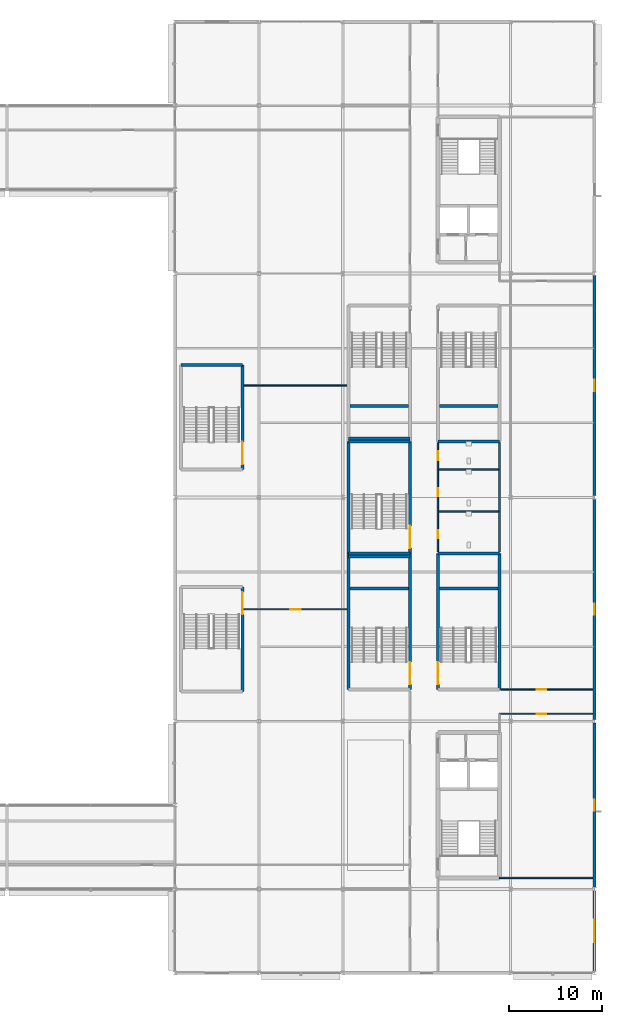
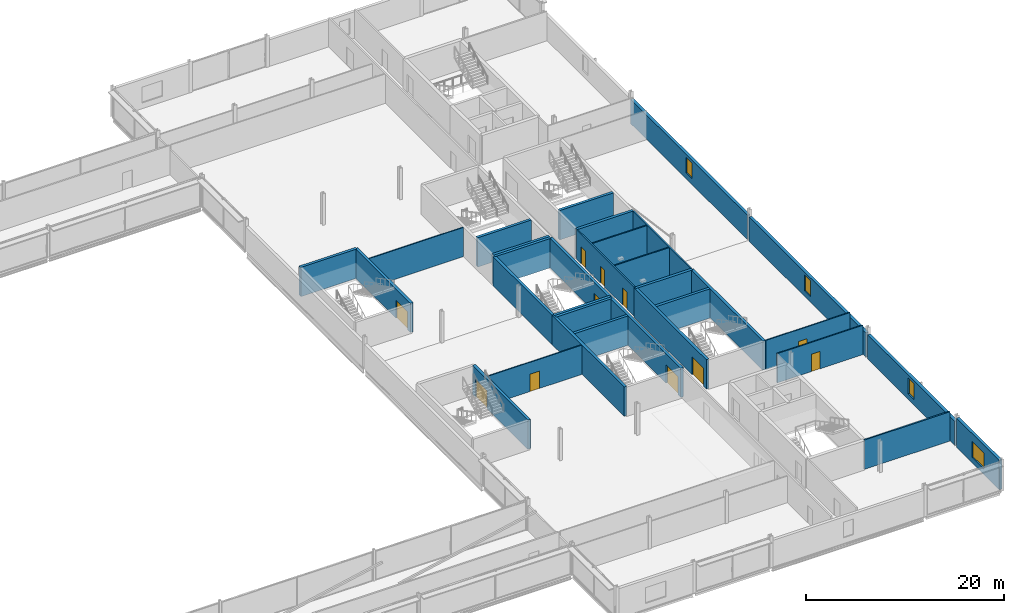
# One storey, part 65 of 98: 32 walls, 11 doors, 4 windows, 15 openings.
"""IFC4 building model written with IfcOpenShell, lengths in metres."""

from ifc_helpers import new_model, si_unit, direction, frame, frame_2d, origin, place, context, subcontext, project, spatial, rectangle, extrude, material, layer, layer_set, type_object, element, fill, save


model = new_model("IFC4")

# Units and contexts
model_context = context("Model", 3, precision=1e-05, world=origin(), true_north=direction((0.0, 1.0)))
body_context = subcontext(model_context, "Body", "Model", "MODEL_VIEW")
ifc_project = project(units=[si_unit("LENGTHUNIT", "METRE"), si_unit("AREAUNIT", "SQUARE_METRE"), si_unit("VOLUMEUNIT", "CUBIC_METRE"), si_unit("PLANEANGLEUNIT", "RADIAN"), si_unit("MASSUNIT", "GRAM", prefix="KILO")], contexts=[model_context])

# Site, building, storey
site_placement = place(None, origin())
site = spatial("IfcSite", under=ifc_project, at=site_placement, CompositionType="ELEMENT")
building_placement = place(site_placement, origin())
building = spatial("IfcBuilding", under=site, at=building_placement, Name="Kisiwana Market Hall", CompositionType="ELEMENT")
storey_placement = place(building_placement, frame((0.0, 0.0, 29.39990234375)))
storey = spatial("IfcBuildingStorey", under=building, at=storey_placement, Name="L06", CompositionType="ELEMENT", Elevation=29.39990234375)

# Wall
ifc_material_1 = material(Name="Concrete C40/50", Category="concrete")
ifc_layer_1 = layer(ifc_material_1, 0.320068359375, Name="Reinforced concrete shaft wall")
ifc_layer_set_1 = layer_set([ifc_layer_1], Name="WL-CORE-320")
wall_type_1 = type_object("IfcWallType", Name="WL-CORE-320", PredefinedType="SHEAR", material=ifc_layer_set_1)
wall_1_placement = place(storey_placement, frame((181.199951171875, 54.0, 0.0), z_axis=(0.0, 0.0, 1.0), x_axis=(1.0, 0.0, 0.0)))
element("IfcWall", 1, at=wall_1_placement, inside=storey, type_object=wall_type_1, Name="Core E3 north shear wall W-1937", PredefinedType="SHEAR", context=body_context, shape_type="SweptSolid", body=[
    extrude(rectangle(XDim=6.60009765625, YDim=0.320068359375, at=frame_2d((3.300048828125, 0.0))), origin(), (0.0, 0.0, 1.0), 3.6201171875),
])

# Wall, opening, door
wall_2_placement = place(storey_placement, frame((181.199951171875, 39.39990234375, 0.0), z_axis=(0.0, 0.0, 1.0), x_axis=(0.0, 1.0, 0.0)))
wall_2 = element("IfcWall", 2, at=wall_2_placement, inside=storey, type_object=wall_type_1, Name="Core E3 corridor shear wall W-1938", PredefinedType="SHEAR", context=body_context, shape_type="SweptSolid", body=[
    extrude(rectangle(XDim=14.60009765625, YDim=0.320068359375, at=frame_2d((7.300048828125, 0.0))), origin(), (0.0, 0.0, 1.0), 3.6201171875),
])
opening_1_placement = place(wall_2_placement, frame((0.550048828125, 0.0, 0.0)))
opening_1 = element("IfcOpeningElement", 3, at=opening_1_placement, cuts=wall_2, Name="Opening DR-L06-015", PredefinedType="OPENING", context=body_context, shape_type="SweptSolid", body=[
    extrude(rectangle(XDim=2.39990234375, YDim=2.25, at=frame_2d((1.199951171875, 1.125))), frame((0.0, 0.171875, 0.0), z_axis=(0.0, -1.0, 0.0), x_axis=(1.0, 0.0, 0.0)), (0.0, 0.0, 1.0), 0.343994140625),
])
ifc_material_2 = material(Name="Steel S275", Category="steel")
door_type_1 = type_object("IfcDoorType", Name="DR-STAIR-FD120-2400", OperationType="DOUBLE_DOOR_SINGLE_SWING", PredefinedType="DOOR", material=ifc_material_2)
door_1_placement = place(opening_1_placement, frame((2.39990234375, 0.0, 0.0), z_axis=(0.0, 0.0, 1.0), x_axis=(-1.0, 0.0, 0.0)))
door_1 = element("IfcDoor", 4, at=door_1_placement, inside=storey, type_object=door_type_1, Name="Escape Stair E3 Fire Door (L06)", OperationType="DOUBLE_DOOR_SINGLE_SWING", OverallHeight=2.25, OverallWidth=2.39990234375, PredefinedType="DOOR", context=body_context, shape_type="SweptSolid", body=[
    extrude(rectangle(XDim=2.39990234375, YDim=2.25, at=frame_2d((1.199951171875, 1.125))), frame((0.0, 0.02490234375, 0.0), z_axis=(0.0, -1.0, 0.0), x_axis=(1.0, 0.0, 0.0)), (0.0, 0.0, 1.0), 0.050048828125),
])
fill(opening_1, door_1)

# Walls
wall_3_placement = place(storey_placement, frame((187.800048828125, 39.39990234375, 0.0), z_axis=(0.0, 0.0, 1.0), x_axis=(0.0, 1.0, 0.0)))
element("IfcWall", 5, at=wall_3_placement, inside=storey, type_object=wall_type_1, Name="Core E3 outer shear wall W-1939", PredefinedType="SHEAR", context=body_context, shape_type="SweptSolid", body=[
    extrude(rectangle(XDim=14.60009765625, YDim=0.320068359375, at=frame_2d((7.300048828125, 0.0))), origin(), (0.0, 0.0, 1.0), 3.6201171875),
])
wall_4_placement = place(storey_placement, frame((181.360107421875, 50.219970703125, 0.0), z_axis=(0.0, 0.0, 1.0), x_axis=(1.0, 0.0, 0.0)))
element("IfcWall", 6, at=wall_4_placement, inside=storey, type_object=wall_type_1, Name="Core E3 riser divider shear wall W-1940", PredefinedType="SHEAR", context=body_context, shape_type="SweptSolid", body=[
    extrude(rectangle(XDim=6.27978515625, YDim=0.320068359375, at=frame_2d((3.139892578125, 0.0))), origin(), (0.0, 0.0, 1.0), 3.6201171875),
])
wall_5_placement = place(storey_placement, frame((181.199951171875, 66.0, 0.0), z_axis=(0.0, 0.0, 1.0), x_axis=(1.0, 0.0, 0.0)))
element("IfcWall", 7, at=wall_5_placement, inside=storey, type_object=wall_type_1, Name="Core E4 south shear wall W-1941", PredefinedType="SHEAR", context=body_context, shape_type="SweptSolid", body=[
    extrude(rectangle(XDim=6.60009765625, YDim=0.320068359375, at=frame_2d((3.300048828125, 0.0))), origin(), (0.0, 0.0, 1.0), 3.6201171875),
])
wall_6_placement = place(storey_placement, frame((181.360107421875, 69.780029296875, 0.0), z_axis=(0.0, 0.0, 1.0), x_axis=(1.0, 0.0, 0.0)))
element("IfcWall", 8, at=wall_6_placement, inside=storey, type_object=wall_type_1, Name="Core E4 riser divider shear wall W-1945", PredefinedType="SHEAR", context=body_context, shape_type="SweptSolid", body=[
    extrude(rectangle(XDim=6.27978515625, YDim=0.320068359375, at=frame_2d((3.139892578125, 0.0))), origin(), (0.0, 0.0, 1.0), 3.6201171875),
])
wall_7_placement = place(storey_placement, frame((171.60009765625, 54.0, 0.0), z_axis=(0.0, 0.0, 1.0), x_axis=(1.0, 0.0, 0.0)))
element("IfcWall", 9, at=wall_7_placement, inside=storey, type_object=wall_type_1, Name="Core E7 north shear wall W-1952", PredefinedType="SHEAR", context=body_context, shape_type="SweptSolid", body=[
    extrude(rectangle(XDim=6.599853515625, YDim=0.320068359375, at=frame_2d((3.2998046875, 0.0))), origin(), (0.0, 0.0, 1.0), 3.6201171875),
])
wall_8_placement = place(storey_placement, frame((171.60009765625, 39.39990234375, 0.0), z_axis=(0.0, 0.0, 1.0), x_axis=(0.0, 1.0, 0.0)))
element("IfcWall", 10, at=wall_8_placement, inside=storey, type_object=wall_type_1, Name="Core E7 outer shear wall W-1953", PredefinedType="SHEAR", context=body_context, shape_type="SweptSolid", body=[
    extrude(rectangle(XDim=14.60009765625, YDim=0.320068359375, at=frame_2d((7.300048828125, 0.0))), origin(), (0.0, 0.0, 1.0), 3.6201171875),
])

# Wall, opening, door
wall_9_placement = place(storey_placement, frame((178.199951171875, 39.39990234375, 0.0), z_axis=(0.0, 0.0, 1.0), x_axis=(0.0, 1.0, 0.0)))
wall_9 = element("IfcWall", 11, at=wall_9_placement, inside=storey, type_object=wall_type_1, Name="Core E7 corridor shear wall W-1954", PredefinedType="SHEAR", context=body_context, shape_type="SweptSolid", body=[
    extrude(rectangle(XDim=14.60009765625, YDim=0.320068359375, at=frame_2d((7.300048828125, 0.0))), origin(), (0.0, 0.0, 1.0), 3.6201171875),
])
opening_2_placement = place(wall_9_placement, frame((0.550048828125, 0.0, 0.0)))
opening_2 = element("IfcOpeningElement", 12, at=opening_2_placement, cuts=wall_9, Name="Opening DR-L06-018", PredefinedType="OPENING", context=body_context, shape_type="SweptSolid", body=[
    extrude(rectangle(XDim=2.39990234375, YDim=2.25, at=frame_2d((1.199951171875, 1.125))), frame((0.0, 0.171875, 0.0), z_axis=(0.0, -1.0, 0.0), x_axis=(1.0, 0.0, 0.0)), (0.0, 0.0, 1.0), 0.343994140625),
])
door_2_placement = place(opening_2_placement, origin())
door_2 = element("IfcDoor", 13, at=door_2_placement, inside=storey, type_object=door_type_1, Name="Escape Stair E7 Fire Door (L06)", OperationType="DOUBLE_DOOR_SINGLE_SWING", OverallHeight=2.25, OverallWidth=2.39990234375, PredefinedType="DOOR", context=body_context, shape_type="SweptSolid", body=[
    extrude(rectangle(XDim=2.39990234375, YDim=2.25, at=frame_2d((1.199951171875, 1.125))), frame((0.0, 0.02490234375, 0.0), z_axis=(0.0, -1.0, 0.0), x_axis=(1.0, 0.0, 0.0)), (0.0, 0.0, 1.0), 0.050048828125),
])
fill(opening_2, door_2)

# Walls
wall_10_placement = place(storey_placement, frame((171.760009765625, 50.219970703125, 0.0), z_axis=(0.0, 0.0, 1.0), x_axis=(1.0, 0.0, 0.0)))
element("IfcWall", 14, at=wall_10_placement, inside=storey, type_object=wall_type_1, Name="Core E7 riser divider shear wall W-1955", PredefinedType="SHEAR", context=body_context, shape_type="SweptSolid", body=[
    extrude(rectangle(XDim=6.280029296875, YDim=0.320068359375, at=frame_2d((3.14013671875, 0.0))), origin(), (0.0, 0.0, 1.0), 3.6201171875),
])
wall_11_placement = place(storey_placement, frame((171.60009765625, 66.0, 0.0), z_axis=(0.0, 0.0, 1.0), x_axis=(1.0, 0.0, 0.0)))
element("IfcWall", 15, at=wall_11_placement, inside=storey, type_object=wall_type_1, Name="Core E8 south shear wall W-1961", PredefinedType="SHEAR", context=body_context, shape_type="SweptSolid", body=[
    extrude(rectangle(XDim=6.599853515625, YDim=0.320068359375, at=frame_2d((3.2998046875, 0.0))), origin(), (0.0, 0.0, 1.0), 3.6201171875),
])
wall_12_placement = place(storey_placement, frame((171.760009765625, 69.780029296875, 0.0), z_axis=(0.0, 0.0, 1.0), x_axis=(1.0, 0.0, 0.0)))
element("IfcWall", 16, at=wall_12_placement, inside=storey, type_object=wall_type_1, Name="Core E8 riser divider shear wall W-1965", PredefinedType="SHEAR", context=body_context, shape_type="SweptSolid", body=[
    extrude(rectangle(XDim=6.280029296875, YDim=0.320068359375, at=frame_2d((3.14013671875, 0.0))), origin(), (0.0, 0.0, 1.0), 3.6201171875),
])

# Wall, opening, door
wall_13_placement = place(storey_placement, frame((160.22998046875, 39.199951171875, 0.0), z_axis=(0.0, 0.0, 1.0), x_axis=(0.0, 1.0, 0.0)))
wall_13 = element("IfcWall", 17, at=wall_13_placement, inside=storey, type_object=wall_type_1, Name="Core E9 corridor shear wall W-1973", PredefinedType="SHEAR", context=body_context, shape_type="SweptSolid", body=[
    extrude(rectangle(XDim=11.199951171875, YDim=0.320068359375, at=frame_2d((5.60009765625, 0.0))), origin(), (0.0, 0.0, 1.0), 3.6201171875),
])
opening_3_placement = place(wall_13_placement, frame((8.25, 0.0, 0.0)))
opening_3 = element("IfcOpeningElement", 18, at=opening_3_placement, cuts=wall_13, Name="Opening DR-L06-022", PredefinedType="OPENING", context=body_context, shape_type="SweptSolid", body=[
    extrude(rectangle(XDim=2.39990234375, YDim=2.25, at=frame_2d((1.199951171875, 1.125))), frame((0.0, 0.171875, 0.0), z_axis=(0.0, -1.0, 0.0), x_axis=(1.0, 0.0, 0.0)), (0.0, 0.0, 1.0), 0.343994140625),
])
door_3_placement = place(opening_3_placement, origin())
door_3 = element("IfcDoor", 19, at=door_3_placement, inside=storey, type_object=door_type_1, Name="Escape Stair E9 Fire Door (L06)", OperationType="DOUBLE_DOOR_SINGLE_SWING", OverallHeight=2.25, OverallWidth=2.39990234375, PredefinedType="DOOR", context=body_context, shape_type="SweptSolid", body=[
    extrude(rectangle(XDim=2.39990234375, YDim=2.25, at=frame_2d((1.199951171875, 1.125))), frame((0.0, 0.02490234375, 0.0), z_axis=(0.0, -1.0, 0.0), x_axis=(1.0, 0.0, 0.0)), (0.0, 0.0, 1.0), 0.050048828125),
])
fill(opening_3, door_3)

# Wall
wall_14_placement = place(storey_placement, frame((153.6298828125, 74.199951171875, 0.0), z_axis=(0.0, 0.0, 1.0), x_axis=(1.0, 0.0, 0.0)))
element("IfcWall", 20, at=wall_14_placement, inside=storey, type_object=wall_type_1, Name="Core E10 north shear wall W-1979", PredefinedType="SHEAR", context=body_context, shape_type="SweptSolid", body=[
    extrude(rectangle(XDim=6.60009765625, YDim=0.320068359375, at=frame_2d((3.300048828125, 0.0))), origin(), (0.0, 0.0, 1.0), 3.6201171875),
])

# Wall, opening, door
wall_15_placement = place(storey_placement, frame((160.22998046875, 63.0, 0.0), z_axis=(0.0, 0.0, 1.0), x_axis=(0.0, 1.0, 0.0)))
wall_15 = element("IfcWall", 21, at=wall_15_placement, inside=storey, type_object=wall_type_1, Name="Core E10 corridor shear wall W-1981", PredefinedType="SHEAR", context=body_context, shape_type="SweptSolid", body=[
    extrude(rectangle(XDim=11.199951171875, YDim=0.320068359375, at=frame_2d((5.60009765625, 0.0))), origin(), (0.0, 0.0, 1.0), 3.6201171875),
])
opening_4_placement = place(wall_15_placement, frame((0.550048828125, 0.0, 0.0)))
opening_4 = element("IfcOpeningElement", 22, at=opening_4_placement, cuts=wall_15, Name="Opening DR-L06-024", PredefinedType="OPENING", context=body_context, shape_type="SweptSolid", body=[
    extrude(rectangle(XDim=2.39990234375, YDim=2.25, at=frame_2d((1.199951171875, 1.125))), frame((0.0, 0.171875, 0.0), z_axis=(0.0, -1.0, 0.0), x_axis=(1.0, 0.0, 0.0)), (0.0, 0.0, 1.0), 0.343994140625),
])
door_4_placement = place(opening_4_placement, origin())
door_4 = element("IfcDoor", 23, at=door_4_placement, inside=storey, type_object=door_type_1, Name="Escape Stair E10 Fire Door (L06)", OperationType="DOUBLE_DOOR_SINGLE_SWING", OverallHeight=2.25, OverallWidth=2.39990234375, PredefinedType="DOOR", context=body_context, shape_type="SweptSolid", body=[
    extrude(rectangle(XDim=2.39990234375, YDim=2.25, at=frame_2d((1.199951171875, 1.125))), frame((0.0, 0.02490234375, 0.0), z_axis=(0.0, -1.0, 0.0), x_axis=(1.0, 0.0, 0.0)), (0.0, 0.0, 1.0), 0.050048828125),
])
fill(opening_4, door_4)

# Walls
for number, where, z_axis, x_axis, name in (
    (24, (171.60009765625, 53.679931640625, 0.0), (0.0, 0.0, 1.0), (1.0, 0.0, 0.0), "Core E5 south shear wall W-1986"),
    (25, (171.60009765625, 66.320068359375, 0.0), (0.0, 0.0, 1.0), (1.0, 0.0, 0.0), "Core E5 north shear wall W-1987"),
):
    element("IfcWall", number, at=place(storey_placement, frame(where, z_axis=z_axis, x_axis=x_axis)), inside=storey, type_object=wall_type_1, Name=name, PredefinedType="SHEAR", context=body_context, shape_type="SweptSolid", body=[
        extrude(rectangle(XDim=6.599853515625, YDim=0.320068359375, at=frame_2d((3.2998046875, 0.0))), origin(), (0.0, 0.0, 1.0), 3.6201171875),
    ])
wall_16_placement = place(storey_placement, frame((171.60009765625, 54.0, 0.0), z_axis=(0.0, 0.0, 1.0), x_axis=(0.0, 1.0, 0.0)))
element("IfcWall", 26, at=wall_16_placement, inside=storey, type_object=wall_type_1, Name="Core E5 outer shear wall W-1988", PredefinedType="SHEAR", context=body_context, shape_type="SweptSolid", body=[
    extrude(rectangle(XDim=12.0, YDim=0.320068359375, at=frame_2d((6.0, 0.0))), origin(), (0.0, 0.0, 1.0), 3.6201171875),
])

# Wall, opening, door
wall_17_placement = place(storey_placement, frame((178.199951171875, 54.0, 0.0), z_axis=(0.0, 0.0, 1.0), x_axis=(0.0, 1.0, 0.0)))
wall_17 = element("IfcWall", 27, at=wall_17_placement, inside=storey, type_object=wall_type_1, Name="Core E5 corridor shear wall W-1989", PredefinedType="SHEAR", context=body_context, shape_type="SweptSolid", body=[
    extrude(rectangle(XDim=12.0, YDim=0.320068359375, at=frame_2d((6.0, 0.0))), origin(), (0.0, 0.0, 1.0), 3.6201171875),
])
opening_5_placement = place(wall_17_placement, frame((0.550048828125, 0.0, 0.0)))
opening_5 = element("IfcOpeningElement", 28, at=opening_5_placement, cuts=wall_17, Name="Opening DR-L06-026", PredefinedType="OPENING", context=body_context, shape_type="SweptSolid", body=[
    extrude(rectangle(XDim=2.39990234375, YDim=2.25, at=frame_2d((1.199951171875, 1.125))), frame((0.0, 0.171875, 0.0), z_axis=(0.0, -1.0, 0.0), x_axis=(1.0, 0.0, 0.0)), (0.0, 0.0, 1.0), 0.343994140625),
])
door_5_placement = place(opening_5_placement, origin())
door_5 = element("IfcDoor", 29, at=door_5_placement, inside=storey, type_object=door_type_1, Name="Escape Stair E5 Fire Door (L06)", OperationType="DOUBLE_DOOR_SINGLE_SWING", OverallHeight=2.25, OverallWidth=2.39990234375, PredefinedType="DOOR", context=body_context, shape_type="SweptSolid", body=[
    extrude(rectangle(XDim=2.39990234375, YDim=2.25, at=frame_2d((1.199951171875, 1.125))), frame((0.0, 0.02490234375, 0.0), z_axis=(0.0, -1.0, 0.0), x_axis=(1.0, 0.0, 0.0)), (0.0, 0.0, 1.0), 0.050048828125),
])
fill(opening_5, door_5)

# Wall
ifc_material_3 = material(Name="Masonry blockwork", Category="masonry")
ifc_layer_2 = layer(ifc_material_3, 0.169921875, Name="Protected corridor partition")
ifc_layer_set_2 = layer_set([ifc_layer_2], Name="WL-CORR-170")
wall_type_2 = type_object("IfcWallType", Name="WL-CORR-170", PredefinedType="PARTITIONING", material=ifc_layer_set_2)
wall_18_placement = place(storey_placement, frame((187.800048828125, 54.159912109375, 0.0), z_axis=(0.0, 0.0, 1.0), x_axis=(0.0, 1.0, 0.0)))
element("IfcWall", 30, at=wall_18_placement, inside=storey, type_object=wall_type_2, Name="Interior partition W-2046", PredefinedType="PARTITIONING", context=body_context, shape_type="SweptSolid", body=[
    extrude(rectangle(XDim=11.68017578125, YDim=0.169921875, at=frame_2d((5.840087890625, 0.0))), origin(), (0.0, 0.0, 1.0), 3.6201171875),
])

# Wall, openings, doors
wall_19_placement = place(storey_placement, frame((181.199951171875, 54.159912109375, 0.0), z_axis=(0.0, 0.0, 1.0), x_axis=(0.0, 1.0, 0.0)))
wall_19 = element("IfcWall", 31, at=wall_19_placement, inside=storey, type_object=wall_type_2, Name="Interior partition W-2047", PredefinedType="PARTITIONING", context=body_context, shape_type="SweptSolid", body=[
    extrude(rectangle(XDim=11.68017578125, YDim=0.169921875, at=frame_2d((5.840087890625, 0.0))), origin(), (0.0, 0.0, 1.0), 3.6201171875),
])
opening_6_placement = place(wall_19_placement, frame((1.43994140625, 0.0, 0.0)))
opening_6 = element("IfcOpeningElement", 32, at=opening_6_placement, cuts=wall_19, Name="Opening DR-L06-046", PredefinedType="OPENING", context=body_context, shape_type="SweptSolid", body=[
    extrude(rectangle(XDim=0.89990234375, YDim=2.10009765625, at=frame_2d((0.449951171875, 1.050048828125))), frame((0.0, 0.096923828125, 0.0), z_axis=(0.0, -1.0, 0.0), x_axis=(1.0, 0.0, 0.0)), (0.0, 0.0, 1.0), 0.19384765625),
])
opening_7_placement = place(wall_19_placement, frame((5.93994140625, 0.0, 0.0)))
opening_7 = element("IfcOpeningElement", 33, at=opening_7_placement, cuts=wall_19, Name="Opening DR-L06-047", PredefinedType="OPENING", context=body_context, shape_type="SweptSolid", body=[
    extrude(rectangle(XDim=0.89990234375, YDim=2.10009765625, at=frame_2d((0.449951171875, 1.050048828125))), frame((0.0, 0.096923828125, 0.0), z_axis=(0.0, -1.0, 0.0), x_axis=(1.0, 0.0, 0.0)), (0.0, 0.0, 1.0), 0.19384765625),
])
opening_8_placement = place(wall_19_placement, frame((9.840087890625, 0.0, 0.0)))
opening_8 = element("IfcOpeningElement", 34, at=opening_8_placement, cuts=wall_19, Name="Opening DR-L06-048", PredefinedType="OPENING", context=body_context, shape_type="SweptSolid", body=[
    extrude(rectangle(XDim=0.949951171875, YDim=2.10009765625, at=frame_2d((0.47509765625, 1.050048828125))), frame((0.0, 0.096923828125, 0.0), z_axis=(0.0, -1.0, 0.0), x_axis=(1.0, 0.0, 0.0)), (0.0, 0.0, 1.0), 0.19384765625),
])
ifc_material_4 = material(Name="Aluminium alloy 6063-T6", Category="aluminium")
door_type_2 = type_object("IfcDoorType", Name="DR-WC-ACC-950", OperationType="NOTDEFINED", PredefinedType="DOOR", material=ifc_material_4)
door_6_placement = place(opening_8_placement, frame((0.949951171875, 0.0, 0.0), z_axis=(0.0, 0.0, 1.0), x_axis=(-1.0, 0.0, 0.0)))
door_6 = element("IfcDoor", 35, at=door_6_placement, inside=storey, type_object=door_type_2, Name="L06 E Accessible WC Door", OperationType="SINGLE_SWING_LEFT", OverallHeight=2.10009765625, OverallWidth=0.949951171875, PredefinedType="DOOR", context=body_context, shape_type="SweptSolid", body=[
    extrude(rectangle(XDim=0.949951171875, YDim=2.10009765625, at=frame_2d((0.47509765625, 1.050048828125))), frame((0.0, 0.02490234375, 0.0), z_axis=(0.0, -1.0, 0.0), x_axis=(1.0, 0.0, 0.0)), (0.0, 0.0, 1.0), 0.050048828125),
])
fill(opening_8, door_6)
ifc_material_5 = material(Name="Aluminium alloy 6063-T6", Category="aluminium")
door_type_3 = type_object("IfcDoorType", Name="DR-WC-STD-900", OperationType="NOTDEFINED", PredefinedType="DOOR", material=ifc_material_5)
door_7_placement = place(opening_6_placement, frame((0.89990234375, 0.0, 0.0), z_axis=(0.0, 0.0, 1.0), x_axis=(-1.0, 0.0, 0.0)))
door_7 = element("IfcDoor", 36, at=door_7_placement, inside=storey, type_object=door_type_3, Name="L06 E Male Toilet Door", OperationType="SINGLE_SWING_RIGHT", OverallHeight=2.10009765625, OverallWidth=0.89990234375, PredefinedType="DOOR", context=body_context, shape_type="SweptSolid", body=[
    extrude(rectangle(XDim=0.89990234375, YDim=2.10009765625, at=frame_2d((0.449951171875, 1.050048828125))), frame((0.0, 0.02490234375, 0.0), z_axis=(0.0, -1.0, 0.0), x_axis=(1.0, 0.0, 0.0)), (0.0, 0.0, 1.0), 0.050048828125),
])
fill(opening_6, door_7)
door_8_placement = place(opening_7_placement, frame((0.89990234375, 0.0, 0.0), z_axis=(0.0, 0.0, 1.0), x_axis=(-1.0, 0.0, 0.0)))
door_8 = element("IfcDoor", 37, at=door_8_placement, inside=storey, type_object=door_type_3, Name="L06 E Female Toilet Door", OperationType="SINGLE_SWING_LEFT", OverallHeight=2.10009765625, OverallWidth=0.89990234375, PredefinedType="DOOR", context=body_context, shape_type="SweptSolid", body=[
    extrude(rectangle(XDim=0.89990234375, YDim=2.10009765625, at=frame_2d((0.449951171875, 1.050048828125))), frame((0.0, 0.02490234375, 0.0), z_axis=(0.0, -1.0, 0.0), x_axis=(1.0, 0.0, 0.0)), (0.0, 0.0, 1.0), 0.050048828125),
])
fill(opening_7, door_8)

# Wall
wall_20_placement = place(storey_placement, frame((187.800048828125, 19.199951171875, 0.0), z_axis=(0.0, 0.0, 1.0), x_axis=(1.0, 0.0, 0.0)))
element("IfcWall", 38, at=wall_20_placement, inside=storey, type_object=wall_type_2, Name="Interior partition W-2052", PredefinedType="PARTITIONING", context=body_context, shape_type="SweptSolid", body=[
    extrude(rectangle(XDim=10.017333984375, YDim=0.169921875, at=frame_2d((5.0087890625, 0.0))), origin(), (0.0, 0.0, 1.0), 3.6201171875),
])

# Wall, opening, window
ifc_material_6 = material(Name="Concrete C40/50 precast", Category="concrete")
ifc_layer_3 = layer(ifc_material_6, 0.14990234375, Name="Precast architectural concrete spandrel")
ifc_material_7 = material(Name="Mineral wool insulation")
ifc_layer_4 = layer(ifc_material_7, 0.090087890625, Name="Rockwool thermal insulation")
ifc_material_8 = material(Name="Masonry blockwork", Category="masonry")
ifc_layer_5 = layer(ifc_material_8, 0.10009765625, Name="Inner masonry block leaf")
ifc_layer_set_3 = layer_set([ifc_layer_3, ifc_layer_4, ifc_layer_5], Name="WL-EXT-PREC-340")
wall_type_3 = type_object("IfcWallType", Name="WL-EXT-PREC-340", PredefinedType="STANDARD", material=ifc_layer_set_3)
wall_21_placement = place(storey_placement, frame((198.0, 9.1806640625, 0.0), z_axis=(0.0, 0.0, 1.0), x_axis=(0.0, 1.0, 0.0)))
wall_21 = element("IfcWall", 39, at=wall_21_placement, inside=storey, type_object=wall_type_3, Name="Exterior wall W-2009", PredefinedType="STANDARD", context=body_context, shape_type="SweptSolid", body=[
    extrude(rectangle(XDim=8.638671875, YDim=0.340087890625, at=frame_2d((4.3193359375, 0.0))), origin(), (0.0, 0.0, 1.0), 3.6201171875),
])
opening_9_placement = place(wall_21_placement, frame((3.119384765625, 0.0, 0.699951171875)))
opening_9 = element("IfcOpeningElement", 40, at=opening_9_placement, cuts=wall_21, Name="Opening WN-27", PredefinedType="OPENING", context=body_context, shape_type="SweptSolid", body=[
    extrude(rectangle(XDim=2.39990234375, YDim=1.949951171875, at=frame_2d((1.199951171875, 0.97509765625))), frame((0.0, 0.18212890625, 0.0), z_axis=(0.0, -1.0, 0.0), x_axis=(1.0, 0.0, 0.0)), (0.0, 0.0, 1.0), 0.364013671875),
])
ifc_material_9 = material(Name="Double-glazed solar-control low-E IGU", Category="glass")
window_type_1 = type_object("IfcWindowType", Name="WN-OFFA-2400x1950", PartitioningType="SINGLE_PANEL", PredefinedType="WINDOW", material=ifc_material_9)
window_1_placement = place(opening_9_placement, origin())
window_1 = element("IfcWindow", 41, at=window_1_placement, inside=storey, type_object=window_type_1, Name="Exterior window WN-206", OverallHeight=1.949951171875, OverallWidth=2.39990234375, PartitioningType="SINGLE_PANEL", PredefinedType="WINDOW", context=body_context, shape_type="SweptSolid", body=[
    extrude(rectangle(XDim=2.39990234375, YDim=1.949951171875, at=frame_2d((1.199951171875, 0.97509765625))), frame((0.0, 0.030029296875, 0.0), z_axis=(0.0, -1.0, 0.0), x_axis=(1.0, 0.0, 0.0)), (0.0, 0.0, 1.0), 0.06005859375),
])
fill(opening_9, window_1)

wall_22_placement = place(storey_placement, frame((198.0, 18.1806640625, 0.0), z_axis=(0.0, 0.0, 1.0), x_axis=(0.0, 1.0, 0.0)))
wall_22 = element("IfcWall", 42, at=wall_22_placement, inside=storey, type_object=wall_type_3, Name="Exterior wall W-2010", PredefinedType="STANDARD", context=body_context, shape_type="SweptSolid", body=[
    extrude(rectangle(XDim=17.638671875, YDim=0.340087890625, at=frame_2d((8.8193359375, 0.0))), origin(), (0.0, 0.0, 1.0), 3.0078125),
])
opening_10_placement = place(wall_22_placement, frame((8.219482421875, 0.0, 0.699951171875)))
opening_10 = element("IfcOpeningElement", 43, at=opening_10_placement, cuts=wall_22, Name="Opening WN-15", PredefinedType="OPENING", context=body_context, shape_type="SweptSolid", body=[
    extrude(rectangle(XDim=1.199951171875, YDim=1.949951171875, at=frame_2d((0.60009765625, 0.97509765625))), frame((0.0, 0.18212890625, 0.0), z_axis=(0.0, -1.0, 0.0), x_axis=(1.0, 0.0, 0.0)), (0.0, 0.0, 1.0), 0.364013671875),
])
ifc_material_10 = material(Name="Double-glazed solar-control low-E IGU", Category="glass")
window_type_2 = type_object("IfcWindowType", Name="WN-OFFA-1200x1950", PartitioningType="SINGLE_PANEL", PredefinedType="WINDOW", material=ifc_material_10)
window_2_placement = place(opening_10_placement, origin())
window_2 = element("IfcWindow", 44, at=window_2_placement, inside=storey, type_object=window_type_2, Name="Exterior window WN-195", OverallHeight=1.949951171875, OverallWidth=1.199951171875, PartitioningType="SINGLE_PANEL", PredefinedType="WINDOW", context=body_context, shape_type="SweptSolid", body=[
    extrude(rectangle(XDim=1.199951171875, YDim=1.949951171875, at=frame_2d((0.60009765625, 0.97509765625))), frame((0.0, 0.030029296875, 0.0), z_axis=(0.0, -1.0, 0.0), x_axis=(1.0, 0.0, 0.0)), (0.0, 0.0, 1.0), 0.06005859375),
])
fill(opening_10, window_2)

wall_23_placement = place(storey_placement, frame((198.0, 36.1806640625, 0.0), z_axis=(0.0, 0.0, 1.0), x_axis=(0.0, 1.0, 0.0)))
wall_23 = element("IfcWall", 45, at=wall_23_placement, inside=storey, type_object=wall_type_3, Name="Exterior wall W-2011", PredefinedType="STANDARD", context=body_context, shape_type="SweptSolid", body=[
    extrude(rectangle(XDim=23.638671875, YDim=0.340087890625, at=frame_2d((11.8193359375, 0.0))), origin(), (0.0, 0.0, 1.0), 3.0078125),
])
opening_11_placement = place(wall_23_placement, frame((11.219482421875, 0.0, 0.699951171875)))
opening_11 = element("IfcOpeningElement", 46, at=opening_11_placement, cuts=wall_23, Name="Opening WN-15", PredefinedType="OPENING", context=body_context, shape_type="SweptSolid", body=[
    extrude(rectangle(XDim=1.199951171875, YDim=1.949951171875, at=frame_2d((0.60009765625, 0.97509765625))), frame((0.0, 0.18212890625, 0.0), z_axis=(0.0, -1.0, 0.0), x_axis=(1.0, 0.0, 0.0)), (0.0, 0.0, 1.0), 0.364013671875),
])
window_3_placement = place(opening_11_placement, origin())
window_3 = element("IfcWindow", 47, at=window_3_placement, inside=storey, type_object=window_type_2, Name="Exterior window WN-196", OverallHeight=1.949951171875, OverallWidth=1.199951171875, PartitioningType="SINGLE_PANEL", PredefinedType="WINDOW", context=body_context, shape_type="SweptSolid", body=[
    extrude(rectangle(XDim=1.199951171875, YDim=1.949951171875, at=frame_2d((0.60009765625, 0.97509765625))), frame((0.0, 0.030029296875, 0.0), z_axis=(0.0, -1.0, 0.0), x_axis=(1.0, 0.0, 0.0)), (0.0, 0.0, 1.0), 0.06005859375),
])
fill(opening_11, window_3)

wall_24_placement = place(storey_placement, frame((198.0, 60.1806640625, 0.0), z_axis=(0.0, 0.0, 1.0), x_axis=(0.0, 1.0, 0.0)))
wall_24 = element("IfcWall", 48, at=wall_24_placement, inside=storey, type_object=wall_type_3, Name="Exterior wall W-2012", PredefinedType="STANDARD", context=body_context, shape_type="SweptSolid", body=[
    extrude(rectangle(XDim=23.638671875, YDim=0.340087890625, at=frame_2d((11.8193359375, 0.0))), origin(), (0.0, 0.0, 1.0), 3.0078125),
])
opening_12_placement = place(wall_24_placement, frame((11.219482421875, 0.0, 0.699951171875)))
opening_12 = element("IfcOpeningElement", 49, at=opening_12_placement, cuts=wall_24, Name="Opening WN-15", PredefinedType="OPENING", context=body_context, shape_type="SweptSolid", body=[
    extrude(rectangle(XDim=1.199951171875, YDim=1.949951171875, at=frame_2d((0.60009765625, 0.97509765625))), frame((0.0, 0.18212890625, 0.0), z_axis=(0.0, -1.0, 0.0), x_axis=(1.0, 0.0, 0.0)), (0.0, 0.0, 1.0), 0.364013671875),
])
window_4_placement = place(opening_12_placement, origin())
window_4 = element("IfcWindow", 50, at=window_4_placement, inside=storey, type_object=window_type_2, Name="Exterior window WN-197", OverallHeight=1.949951171875, OverallWidth=1.199951171875, PartitioningType="SINGLE_PANEL", PredefinedType="WINDOW", context=body_context, shape_type="SweptSolid", body=[
    extrude(rectangle(XDim=1.199951171875, YDim=1.949951171875, at=frame_2d((0.60009765625, 0.97509765625))), frame((0.0, 0.030029296875, 0.0), z_axis=(0.0, -1.0, 0.0), x_axis=(1.0, 0.0, 0.0)), (0.0, 0.0, 1.0), 0.06005859375),
])
fill(opening_12, window_4)

# Wall, opening, door
ifc_material_11 = material(Name="Gypsum plasterboard")
ifc_layer_6 = layer(ifc_material_11, 0.125, Name="Double gypsum board + acoustic stud")
ifc_layer_set_4 = layer_set([ifc_layer_6], Name="WL-OFF-125")
wall_type_4 = type_object("IfcWallType", Name="WL-OFF-125", PredefinedType="PARTITIONING", material=ifc_layer_set_4)
wall_25_placement = place(storey_placement, frame((187.800048828125, 36.800048828125, 0.0), z_axis=(0.0, 0.0, 1.0), x_axis=(1.0, 0.0, 0.0)))
wall_25 = element("IfcWall", 51, at=wall_25_placement, inside=storey, type_object=wall_type_4, Name="Interior partition W-2054", PredefinedType="PARTITIONING", context=body_context, shape_type="SweptSolid", body=[
    extrude(rectangle(XDim=10.017333984375, YDim=0.125, at=frame_2d((5.0087890625, 0.0))), origin(), (0.0, 0.0, 1.0), 3.6201171875),
])
opening_13_placement = place(wall_25_placement, frame((4.0, 0.0, 0.0)))
opening_13 = element("IfcOpeningElement", 52, at=opening_13_placement, cuts=wall_25, Name="Opening DR-L06-049", PredefinedType="OPENING", context=body_context, shape_type="SweptSolid", body=[
    extrude(rectangle(XDim=1.0, YDim=2.14990234375, at=frame_2d((0.5, 1.074951171875))), frame((0.0, 0.074462890625, 0.0), z_axis=(0.0, -1.0, 0.0), x_axis=(1.0, 0.0, 0.0)), (0.0, 0.0, 1.0), 0.14892578125),
])
ifc_material_12 = material(Name="Aluminium alloy 6063-T6", Category="aluminium")
door_type_4 = type_object("IfcDoorType", Name="DR-OFF-1000", OperationType="NOTDEFINED", PredefinedType="DOOR", material=ifc_material_12)
door_9_placement = place(opening_13_placement, frame((1.0, 0.0, 0.0), z_axis=(0.0, 0.0, 1.0), x_axis=(-1.0, 0.0, 0.0)))
door_9 = element("IfcDoor", 53, at=door_9_placement, inside=storey, type_object=door_type_4, Name="L06 E Commercial Office South Door", OperationType="SINGLE_SWING_RIGHT", OverallHeight=2.14990234375, OverallWidth=1.0, PredefinedType="DOOR", context=body_context, shape_type="SweptSolid", body=[
    extrude(rectangle(XDim=1.0, YDim=2.14990234375, at=frame_2d((0.5, 1.074951171875))), frame((0.0, 0.02490234375, 0.0), z_axis=(0.0, -1.0, 0.0), x_axis=(1.0, 0.0, 0.0)), (0.0, 0.0, 1.0), 0.050048828125),
])
fill(opening_13, door_9)

wall_26_placement = place(storey_placement, frame((187.9599609375, 39.39990234375, 0.0), z_axis=(0.0, 0.0, 1.0), x_axis=(1.0, 0.0, 0.0)))
wall_26 = element("IfcWall", 54, at=wall_26_placement, inside=storey, type_object=wall_type_4, Name="Interior partition W-2055", PredefinedType="PARTITIONING", context=body_context, shape_type="SweptSolid", body=[
    extrude(rectangle(XDim=9.857421875, YDim=0.125, at=frame_2d((4.9287109375, 0.0))), origin(), (0.0, 0.0, 1.0), 3.6201171875),
])
opening_14_placement = place(wall_26_placement, frame((3.840087890625, 0.0, 0.0)))
opening_14 = element("IfcOpeningElement", 55, at=opening_14_placement, cuts=wall_26, Name="Opening DR-L06-050", PredefinedType="OPENING", context=body_context, shape_type="SweptSolid", body=[
    extrude(rectangle(XDim=1.0, YDim=2.14990234375, at=frame_2d((0.5, 1.074951171875))), frame((0.0, 0.074462890625, 0.0), z_axis=(0.0, -1.0, 0.0), x_axis=(1.0, 0.0, 0.0)), (0.0, 0.0, 1.0), 0.14892578125),
])
door_10_placement = place(opening_14_placement, origin())
door_10 = element("IfcDoor", 56, at=door_10_placement, inside=storey, type_object=door_type_4, Name="L06 E Commercial Office Central Door", OperationType="SINGLE_SWING_LEFT", OverallHeight=2.14990234375, OverallWidth=1.0, PredefinedType="DOOR", context=body_context, shape_type="SweptSolid", body=[
    extrude(rectangle(XDim=1.0, YDim=2.14990234375, at=frame_2d((0.5, 1.074951171875))), frame((0.0, 0.02490234375, 0.0), z_axis=(0.0, -1.0, 0.0), x_axis=(1.0, 0.0, 0.0)), (0.0, 0.0, 1.0), 0.050048828125),
])
fill(opening_14, door_10)

wall_27_placement = place(storey_placement, frame((160.389892578125, 48.0, 0.0), z_axis=(0.0, 0.0, 1.0), x_axis=(1.0, 0.0, 0.0)))
wall_27 = element("IfcWall", 57, at=wall_27_placement, inside=storey, type_object=wall_type_4, Name="Interior partition W-2064", PredefinedType="PARTITIONING", context=body_context, shape_type="SweptSolid", body=[
    extrude(rectangle(XDim=11.050048828125, YDim=0.125, at=frame_2d((5.52490234375, 0.0))), origin(), (0.0, 0.0, 1.0), 3.6201171875),
])
opening_15_placement = place(wall_27_placement, frame((4.949951171875, 0.0, 0.0)))
opening_15 = element("IfcOpeningElement", 58, at=opening_15_placement, cuts=wall_27, Name="Opening DR-L06-054", PredefinedType="OPENING", context=body_context, shape_type="SweptSolid", body=[
    extrude(rectangle(XDim=1.14990234375, YDim=2.14990234375, at=frame_2d((0.574951171875, 1.074951171875))), frame((0.0, 0.074462890625, 0.0), z_axis=(0.0, -1.0, 0.0), x_axis=(1.0, 0.0, 0.0)), (0.0, 0.0, 1.0), 0.14892578125),
])
ifc_material_13 = material(Name="Aluminium alloy 6063-T6", Category="aluminium")
door_type_5 = type_object("IfcDoorType", Name="DR-MEET-1150", OperationType="NOTDEFINED", PredefinedType="DOOR", material=ifc_material_13)
door_11_placement = place(opening_15_placement, origin())
door_11 = element("IfcDoor", 59, at=door_11_placement, inside=storey, type_object=door_type_5, Name="L06 E Open-Plan Office A3 Door", OperationType="SINGLE_SWING_RIGHT", OverallHeight=2.14990234375, OverallWidth=1.14990234375, PredefinedType="DOOR", context=body_context, shape_type="SweptSolid", body=[
    extrude(rectangle(XDim=1.14990234375, YDim=2.14990234375, at=frame_2d((0.574951171875, 1.074951171875))), frame((0.0, 0.02490234375, 0.0), z_axis=(0.0, -1.0, 0.0), x_axis=(1.0, 0.0, 0.0)), (0.0, 0.0, 1.0), 0.050048828125),
])
fill(opening_15, door_11)

# Walls
wall_28_placement = place(storey_placement, frame((160.389892578125, 72.0, 0.0), z_axis=(0.0, 0.0, 1.0), x_axis=(1.0, 0.0, 0.0)))
element("IfcWall", 60, at=wall_28_placement, inside=storey, type_object=wall_type_4, Name="Interior partition W-2065", PredefinedType="PARTITIONING", context=body_context, shape_type="SweptSolid", body=[
    extrude(rectangle(XDim=11.050048828125, YDim=0.125, at=frame_2d((5.52490234375, 0.0))), origin(), (0.0, 0.0, 1.0), 3.6201171875),
])
ifc_material_14 = material(Name="Masonry blockwork", Category="masonry")
ifc_layer_7 = layer(ifc_material_14, 0.14990234375, Name="Water-resistant sanitary block wall")
ifc_layer_set_5 = layer_set([ifc_layer_7], Name="WL-WET-150")
wall_type_5 = type_object("IfcWallType", Name="WL-WET-150", PredefinedType="PARTITIONING", material=ifc_layer_set_5)
for number, where, z_axis, x_axis, name in (
    (61, (181.284912109375, 58.5, 0.0), (0.0, 0.0, 1.0), (1.0, 0.0, 0.0), "Interior partition W-2048"),
    (62, (181.284912109375, 63.0, 0.0), (0.0, 0.0, 1.0), (1.0, 0.0, 0.0), "Interior partition W-2049"),
):
    element("IfcWall", number, at=place(storey_placement, frame(where, z_axis=z_axis, x_axis=x_axis)), inside=storey, type_object=wall_type_5, Name=name, PredefinedType="PARTITIONING", context=body_context, shape_type="SweptSolid", body=[
        extrude(rectangle(XDim=6.43017578125, YDim=0.14990234375, at=frame_2d((3.215087890625, 0.0))), origin(), (0.0, 0.0, 1.0), 3.6201171875),
    ])

save(model, "model.ifc")
